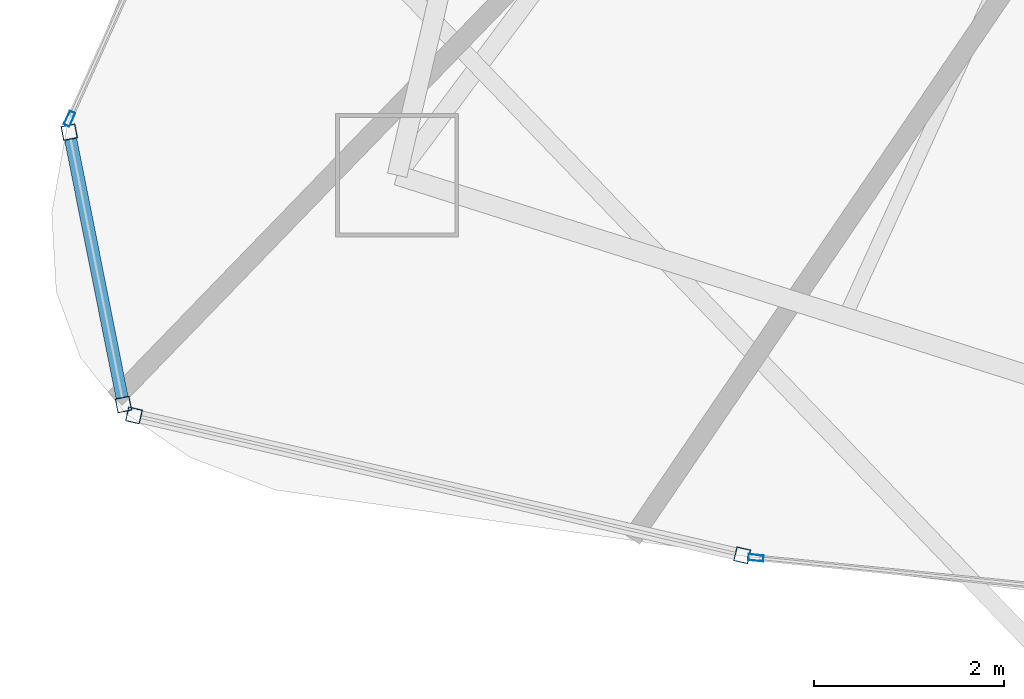
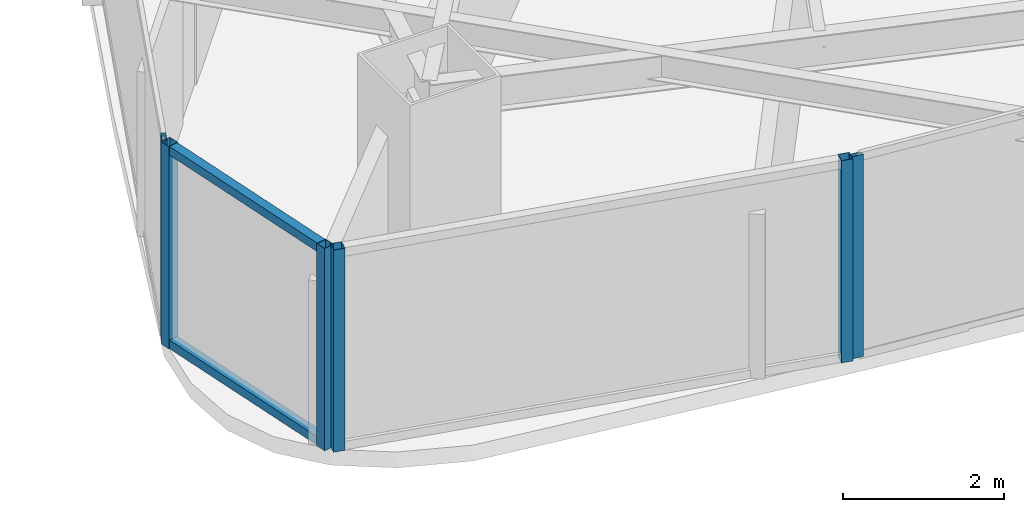
# One storey, part 2 of 29: 8 members, 4 elements without a shape of their own.
"""IFC4 building model written with IfcOpenShell, lengths in metres."""

from ifc_helpers import new_model, si_unit, direction, frame, origin, origin_2d, place, context, subcontext, project, spatial, hollow_rectangle, extrude, material, layer, layer_set, material_profile, profile_set, type_object, element, aggregate, save


model = new_model("IFC4")

# Units and contexts
model_context = context("Model", 3, precision=1e-05, world=origin(), true_north=direction((0.0, 1.0)))
body_context = subcontext(model_context, "Body", "Model", "MODEL_VIEW")
ifc_project = project(units=[si_unit("LENGTHUNIT", "METRE"), si_unit("AREAUNIT", "SQUARE_METRE"), si_unit("VOLUMEUNIT", "CUBIC_METRE"), si_unit("PLANEANGLEUNIT", "RADIAN"), si_unit("MASSUNIT", "GRAM", prefix="KILO")], contexts=[model_context])

# Site, building, storey
site_placement = place(None, origin())
site = spatial("IfcSite", under=ifc_project, at=site_placement, CompositionType="ELEMENT")
building_placement = place(site_placement, origin())
building = spatial("IfcBuilding", under=site, at=building_placement, Name="Orvanel Arch Residences", CompositionType="ELEMENT")
storey_placement = place(building_placement, frame((0.0, 0.0, 246.949951171875)))
storey = spatial("IfcBuildingStorey", under=building, at=storey_placement, Name="L70", CompositionType="ELEMENT", Elevation=246.949951171875)

# Curtain wall, members
ifc_material = material(Name="Bronze-anodised aluminium AA6063-T6", Category="aluminium")
ifc_layer_1 = layer(ifc_material, 0.18994140625)
ifc_layer_set_1 = layer_set([ifc_layer_1], Name="Bronze-anodised aluminium AA6063-T6")
curtain_wall_type_1 = type_object("IfcCurtainWallType", Name="CW5-CRN-SYS", PredefinedType="NOTDEFINED", material=ifc_layer_set_1)
curtain_wall_1_placement = place(storey_placement, origin())
curtain_wall_1 = element("IfcCurtainWall", 1, at=curtain_wall_1_placement, inside=storey, type_object=curtain_wall_type_1, Name="L70 CW5-CRN-SYS Unitised Curtain Wall", PredefinedType="NOTDEFINED")
ifc_material_profile_1 = material_profile(ifc_material, hollow_rectangle(XDim=0.14990234375, YDim=0.14990234375, WallThickness=0.0048828125, at=origin_2d()), Name="ALU150x150x5")
ifc_profile_set_1 = profile_set([ifc_material_profile_1], Name="Bronze-anodised aluminium AA6063-T6")
member_type_1 = type_object("IfcMemberType", Name="MUL-150x150", PredefinedType="MULLION", material=ifc_profile_set_1)
member_1_placement = place(storey_placement, frame((10.73876953125, 10.805419921875, 0.0), z_axis=(0.0, 0.0, 1.0), x_axis=(0.980730172854, 0.195367162167, 0.0)))
member_1 = element("IfcMember", 2, at=member_1_placement, type_object=member_type_1, Name="CW-S5 mullion 1", PredefinedType="MULLION", context=body_context, shape_type="SweptSolid", body=[
    extrude(hollow_rectangle(XDim=0.14990234375, YDim=0.14990234375, WallThickness=0.0048828125, at=origin_2d()), origin(), (0.0, 0.0, 1.0), 3.06005859375),
])
member_2_placement = place(storey_placement, frame((11.311279296875, 7.9306640625, 0.0), z_axis=(0.0, 0.0, 1.0), x_axis=(0.980730172854, 0.195367162167, 0.0)))
member_2 = element("IfcMember", 3, at=member_2_placement, type_object=member_type_1, Name="CW-S5 mullion 2", PredefinedType="MULLION", context=body_context, shape_type="SweptSolid", body=[
    extrude(hollow_rectangle(XDim=0.14990234375, YDim=0.14990234375, WallThickness=0.0048828125, at=origin_2d()), origin(), (0.0, 0.0, 1.0), 3.06005859375),
])

curtain_wall_2_placement = place(storey_placement, origin())
curtain_wall_2 = element("IfcCurtainWall", 4, at=curtain_wall_2_placement, inside=storey, type_object=curtain_wall_type_1, Name="L70 CW5-CRN-SYS Unitised Curtain Wall", PredefinedType="NOTDEFINED")
member_3_placement = place(storey_placement, frame((11.422119140625, 7.816162109375, 0.0), z_axis=(0.0, 0.0, 1.0), x_axis=(0.224154742337, 0.974553565223, 0.0)))
member_3 = element("IfcMember", 5, at=member_3_placement, type_object=member_type_1, Name="CW-S5 mullion 1", PredefinedType="MULLION", context=body_context, shape_type="SweptSolid", body=[
    extrude(hollow_rectangle(XDim=0.14990234375, YDim=0.14990234375, WallThickness=0.0048828125, at=origin_2d()), origin(), (0.0, 0.0, 1.0), 3.06005859375),
])
member_4_placement = place(storey_placement, frame((17.8408203125, 6.33984375, 0.0), z_axis=(0.0, 0.0, 1.0), x_axis=(0.224154742337, 0.974553565223, 0.0)))
member_4 = element("IfcMember", 6, at=member_4_placement, type_object=member_type_1, Name="CW-S5 mullion 2", PredefinedType="MULLION", context=body_context, shape_type="SweptSolid", body=[
    extrude(hollow_rectangle(XDim=0.14990234375, YDim=0.14990234375, WallThickness=0.0048828125, at=origin_2d()), origin(), (0.0, 0.0, 1.0), 3.06005859375),
])
aggregate(curtain_wall_2, [member_3, member_4])

# Curtain wall, member
ifc_layer_2 = layer(ifc_material, 0.175048828125)
ifc_layer_set_2 = layer_set([ifc_layer_2], Name="Bronze-anodised aluminium AA6063-T6")
curtain_wall_type_2 = type_object("IfcCurtainWallType", Name="CW4-HI-SYS", PredefinedType="NOTDEFINED", material=ifc_layer_set_2)
curtain_wall_3_placement = place(storey_placement, origin())
curtain_wall_3 = element("IfcCurtainWall", 7, at=curtain_wall_3_placement, inside=storey, type_object=curtain_wall_type_2, Name="L70 CW4-HI-SYS Unitised Curtain Wall", PredefinedType="NOTDEFINED")
ifc_material_profile_2 = material_profile(ifc_material, hollow_rectangle(XDim=0.06494140625, YDim=0.159912109375, WallThickness=0.00390625, at=origin_2d()), Name="ALU160x65x4")
ifc_profile_set_2 = profile_set([ifc_material_profile_2], Name="Bronze-anodised aluminium AA6063-T6")
member_type_2 = type_object("IfcMemberType", Name="MUL-160x65", PredefinedType="MULLION", material=ifc_profile_set_2)
member_5_placement = place(storey_placement, frame((10.741455078125, 10.946533203125, 0.0), z_axis=(0.0, 0.0, 1.0), x_axis=(0.911827998826, -0.410572405987, 0.0)))
member_5 = element("IfcMember", 8, at=member_5_placement, type_object=member_type_2, Name="CW-S4 mullion 3", PredefinedType="MULLION", context=body_context, shape_type="SweptSolid", body=[
    extrude(hollow_rectangle(XDim=0.06494140625, YDim=0.159912109375, WallThickness=0.00390625, at=origin_2d()), origin(), (0.0, 0.0, 1.0), 3.06005859375),
])
aggregate(curtain_wall_3, [member_5])

curtain_wall_4_placement = place(storey_placement, origin())
curtain_wall_4 = element("IfcCurtainWall", 9, at=curtain_wall_4_placement, inside=storey, type_object=curtain_wall_type_2, Name="L70 CW4-HI-SYS Unitised Curtain Wall", PredefinedType="NOTDEFINED")
member_6_placement = place(storey_placement, frame((17.9853515625, 6.313720703125, 0.0), z_axis=(0.0, 0.0, 1.0), x_axis=(0.099356011792, 0.99505194986, 0.0)))
member_6 = element("IfcMember", 10, at=member_6_placement, type_object=member_type_2, Name="CW-S4 mullion 1", PredefinedType="MULLION", context=body_context, shape_type="SweptSolid", body=[
    extrude(hollow_rectangle(XDim=0.06494140625, YDim=0.159912109375, WallThickness=0.00390625, at=origin_2d()), origin(), (0.0, 0.0, 1.0), 3.06005859375),
])
aggregate(curtain_wall_4, [member_6])

# Member
ifc_material_profile_3 = material_profile(ifc_material, hollow_rectangle(XDim=0.1298828125, YDim=0.1298828125, WallThickness=0.00439453125, at=origin_2d()), Name="ALU130x130x4.5")
ifc_profile_set_3 = profile_set([ifc_material_profile_3], Name="Bronze-anodised aluminium AA6063-T6")
member_type_3 = type_object("IfcMemberType", Name="TRN-130x130", PredefinedType="USERDEFINED", material=ifc_profile_set_3)
member_7_placement = place(storey_placement, frame((10.75341796875, 10.73193359375, 0.06494140625), z_axis=(0.195305810717, -0.980742392425, 0.0), x_axis=(0.980742392425, 0.195305810717, 0.0)))
member_7 = element("IfcMember", 11, at=member_7_placement, type_object=member_type_3, Name="CW-S5 transom 1.1", ObjectType="TRANSOM", PredefinedType="USERDEFINED", context=body_context, shape_type="SweptSolid", body=[
    extrude(hollow_rectangle(XDim=0.1298828125, YDim=0.1298828125, WallThickness=0.00439453125, at=origin_2d()), origin(), (0.0, 0.0, 1.0), 2.78125),
])

member_8_placement = place(storey_placement, frame((10.75341796875, 10.73193359375, 2.9951171875), z_axis=(0.195305810717, -0.980742392425, 0.0), x_axis=(0.980742392425, 0.195305810717, 0.0)))
member_8 = element("IfcMember", 12, at=member_8_placement, type_object=member_type_3, Name="CW-S5 transom 1.2", ObjectType="TRANSOM", PredefinedType="USERDEFINED", context=body_context, shape_type="SweptSolid", body=[
    extrude(hollow_rectangle(XDim=0.1298828125, YDim=0.1298828125, WallThickness=0.00439453125, at=origin_2d()), origin(), (0.0, 0.0, 1.0), 2.78125),
])

aggregate(curtain_wall_1, [member_1, member_2, member_7, member_8])

save(model, "model.ifc")
